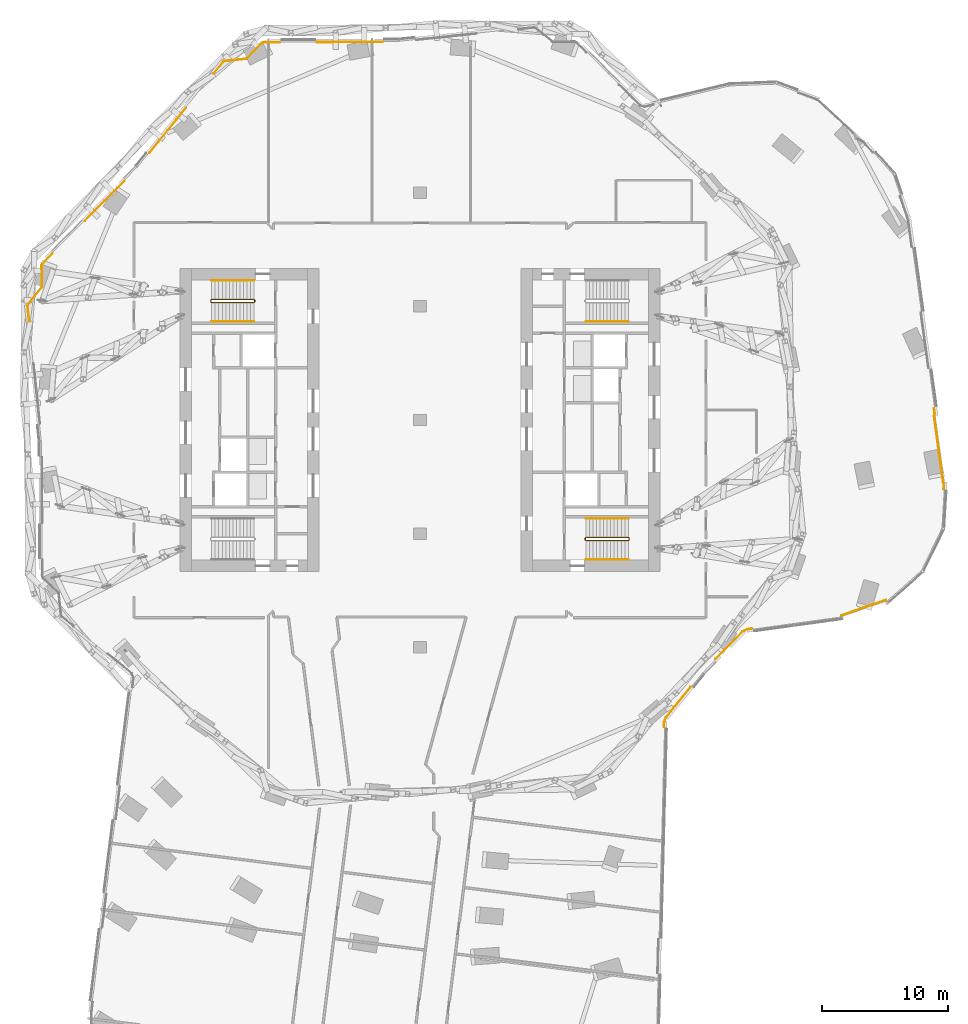
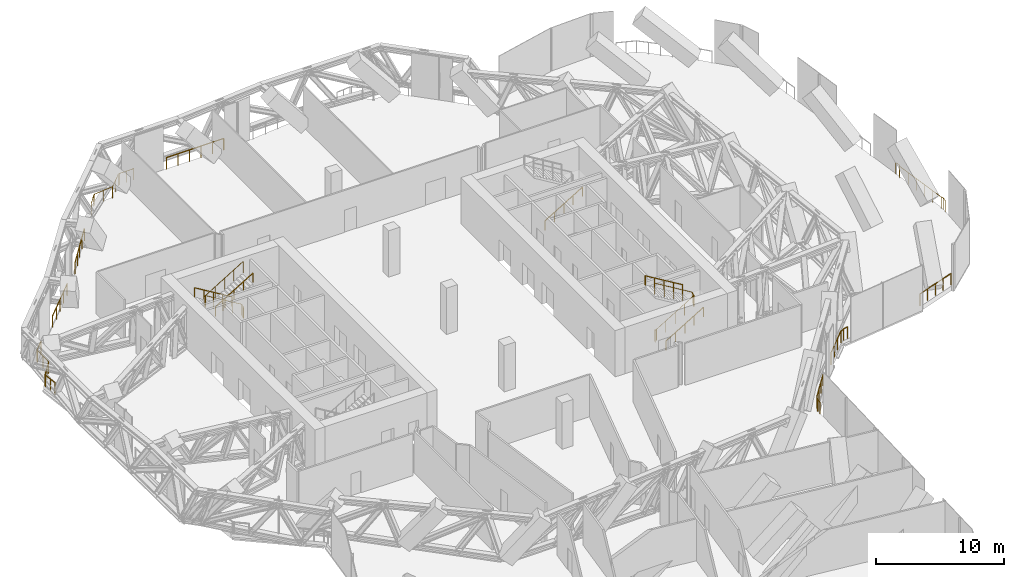
# One storey, part 25 of 27: 16 railings.
"""IFC4 building model written with IfcOpenShell, lengths in metres."""

from ifc_helpers import new_model, si_unit, direction, frame, origin, origin_2d, place, context, subcontext, project, spatial, circle, extrude, material, type_object, element, save


model = new_model("IFC4")

# Units and contexts
model_context = context("Model", 3, precision=1e-05, world=origin(), true_north=direction((0.0, 1.0)))
body_context = subcontext(model_context, "Body", "Model", "MODEL_VIEW")
ifc_project = project(units=[si_unit("LENGTHUNIT", "METRE"), si_unit("AREAUNIT", "SQUARE_METRE"), si_unit("VOLUMEUNIT", "CUBIC_METRE"), si_unit("PLANEANGLEUNIT", "RADIAN"), si_unit("MASSUNIT", "GRAM", prefix="KILO")], contexts=[model_context])

# Site, building, storey
site_placement = place(None, origin())
site = spatial("IfcSite", under=ifc_project, at=site_placement, CompositionType="ELEMENT")
building_placement = place(site_placement, origin())
building = spatial("IfcBuilding", under=site, at=building_placement, Name="Orlundy Tower", CompositionType="ELEMENT")
storey_placement = place(building_placement, frame((0.0, 0.0, 206.10009765625)))
storey = spatial("IfcBuildingStorey", under=building, at=storey_placement, Name="L54", CompositionType="ELEMENT", Elevation=206.10009765625)

# Railings
ifc_material_1 = material(Name="Steel balustrade", Category="steel")
railing_type_1 = type_object("IfcRailingType", Name="Stair Guard 1100", PredefinedType="GUARDRAIL", material=ifc_material_1)
railing_1_placement = place(storey_placement, frame((-13.090087890625, 9.5, 0.0)))
element("IfcRailing", 1, at=railing_1_placement, inside=storey, type_object=railing_type_1, Name="L54 ST-W1 stair guard 1", PredefinedType="GUARDRAIL", context=body_context, shape_type="SweptSolid", body=[
    extrude(circle(Radius=0.02392578125, at=origin_2d()), frame((0.0, 0.0, 1.076171875), z_axis=(0.0, -1.0, 0.0), x_axis=(1.0, 0.0, 0.0)), (0.0, 0.0, 1.0), 0.14990234375),
    extrude(circle(Radius=0.02392578125, at=origin_2d()), frame((0.0, -0.14990234375, 1.076171875), z_axis=(-0.186800498525, 0.749949060256, 0.634572281755), x_axis=(-0.970351222016, -0.241699205484, 0.0)), (0.0, 0.0, 1.0), 0.2666015625),
    extrude(circle(Radius=0.02392578125, at=origin_2d()), frame((-0.0498046875, 0.050048828125, 1.2451171875), z_axis=(-0.855836976705, 0.0, 0.517245656632), x_axis=(0.0, -1.0, 0.0)), (0.0, 0.0, 1.0), 3.926025390625),
    extrude(circle(Radius=0.02392578125, at=origin_2d()), frame((-3.409912109375, 0.050048828125, 3.27587890625), z_axis=(-0.707106781187, -0.707106781187, 0.0), x_axis=(0.707106781187, -0.707106781187, 0.0)), (0.0, 0.0, 1.0), 0.07080078125),
    extrude(circle(Radius=0.02392578125, at=origin_2d()), frame((-3.4599609375, 0.0, 3.27587890625), z_axis=(0.0, -1.0, 0.0), x_axis=(1.0, 0.0, 0.0)), (0.0, 0.0, 1.0), 0.14990234375),
    extrude(circle(Radius=0.02392578125, at=origin_2d()), frame((-3.4599609375, -0.14990234375, 3.27587890625), z_axis=(0.272897288611, -0.272897288611, 0.922525956132), x_axis=(0.707106781187, 0.707106781187, 0.0)), (0.0, 0.0, 1.0), 0.183349609375),
    extrude(circle(Radius=0.02392578125, at=origin_2d()), frame((-3.409912109375, -0.199951171875, 3.4453125), z_axis=(0.855836976705, 0.0, 0.517245656632), x_axis=(0.0, 1.0, 0.0)), (0.0, 0.0, 1.0), 3.926025390625),
    extrude(circle(Radius=0.02099609375, at=origin_2d()), origin(), (0.0, 0.0, 1.0), 1.052001953125),
    extrude(circle(Radius=0.02099609375, at=origin_2d()), frame((0.0, -0.14990234375, 0.0)), (0.0, 0.0, 1.0), 1.052001953125),
    extrude(circle(Radius=0.02099609375, at=origin_2d()), frame((-0.0498046875, 0.050048828125, 0.169189453125)), (0.0, 0.0, 1.0), 1.052001953125),
    extrude(circle(Radius=0.02099609375, at=origin_2d()), frame((-0.889892578125, 0.050048828125, 0.6767578125)), (0.0, 0.0, 1.0), 1.052001953125),
    extrude(circle(Radius=0.02099609375, at=origin_2d()), frame((-1.72998046875, 0.050048828125, 1.1845703125)), (0.0, 0.0, 1.0), 1.052001953125),
    extrude(circle(Radius=0.02099609375, at=origin_2d()), frame((-2.56982421875, 0.050048828125, 1.6923828125)), (0.0, 0.0, 1.0), 1.052001953125),
    extrude(circle(Radius=0.02099609375, at=origin_2d()), frame((-3.409912109375, 0.050048828125, 2.199951171875)), (0.0, 0.0, 1.0), 1.052001953125),
    extrude(circle(Radius=0.02099609375, at=origin_2d()), frame((-3.4599609375, 0.0, 2.199951171875)), (0.0, 0.0, 1.0), 1.052001953125),
    extrude(circle(Radius=0.02099609375, at=origin_2d()), frame((-3.4599609375, -0.14990234375, 2.199951171875)), (0.0, 0.0, 1.0), 1.052001953125),
    extrude(circle(Radius=0.02099609375, at=origin_2d()), frame((-3.409912109375, -0.199951171875, 2.369140625)), (0.0, 0.0, 1.0), 1.052001953125),
    extrude(circle(Radius=0.02099609375, at=origin_2d()), frame((-2.56982421875, -0.199951171875, 2.876953125)), (0.0, 0.0, 1.0), 1.052001953125),
    extrude(circle(Radius=0.02099609375, at=origin_2d()), frame((-1.72998046875, -0.199951171875, 3.384521484375)), (0.0, 0.0, 1.0), 1.052001953125),
    extrude(circle(Radius=0.02099609375, at=origin_2d()), frame((-0.889892578125, -0.199951171875, 3.89208984375)), (0.0, 0.0, 1.0), 1.052001953125),
    extrude(circle(Radius=0.02099609375, at=origin_2d()), frame((-0.0498046875, -0.199951171875, 4.39990234375)), (0.0, 0.0, 1.0), 1.052001953125),
])
railing_2_placement = place(storey_placement, frame((13.090087890625, -9.5, 0.0)))
element("IfcRailing", 2, at=railing_2_placement, inside=storey, type_object=railing_type_1, Name="L54 ST-E1 stair guard 1", PredefinedType="GUARDRAIL", context=body_context, shape_type="SweptSolid", body=[
    extrude(circle(Radius=0.02392578125, at=origin_2d()), frame((0.0, 0.0, 1.076171875), z_axis=(0.0, 1.0, 0.0), x_axis=(-1.0, 0.0, 0.0)), (0.0, 0.0, 1.0), 0.14990234375),
    extrude(circle(Radius=0.02392578125, at=origin_2d()), frame((0.0, 0.14990234375, 1.076171875), z_axis=(0.186800498525, -0.749949060256, 0.634572281755), x_axis=(0.970351222016, 0.241699205484, 0.0)), (0.0, 0.0, 1.0), 0.2666015625),
    extrude(circle(Radius=0.02392578125, at=origin_2d()), frame((0.0498046875, -0.050048828125, 1.2451171875), z_axis=(0.855836976705, 0.0, 0.517245656632), x_axis=(0.0, 1.0, 0.0)), (0.0, 0.0, 1.0), 3.926025390625),
    extrude(circle(Radius=0.02392578125, at=origin_2d()), frame((3.409912109375, -0.050048828125, 3.27587890625), z_axis=(0.707106781187, 0.707106781187, 0.0), x_axis=(-0.707106781187, 0.707106781187, 0.0)), (0.0, 0.0, 1.0), 0.07080078125),
    extrude(circle(Radius=0.02392578125, at=origin_2d()), frame((3.4599609375, 0.0, 3.27587890625), z_axis=(0.0, 1.0, 0.0), x_axis=(-1.0, 0.0, 0.0)), (0.0, 0.0, 1.0), 0.14990234375),
    extrude(circle(Radius=0.02392578125, at=origin_2d()), frame((3.4599609375, 0.14990234375, 3.27587890625), z_axis=(-0.272897288611, 0.272897288611, 0.922525956132), x_axis=(-0.707106781187, -0.707106781187, 0.0)), (0.0, 0.0, 1.0), 0.183349609375),
    extrude(circle(Radius=0.02392578125, at=origin_2d()), frame((3.409912109375, 0.199951171875, 3.4453125), z_axis=(-0.855836976705, 0.0, 0.517245656632), x_axis=(0.0, -1.0, 0.0)), (0.0, 0.0, 1.0), 3.926025390625),
    extrude(circle(Radius=0.02099609375, at=origin_2d()), origin(), (0.0, 0.0, 1.0), 1.052001953125),
    extrude(circle(Radius=0.02099609375, at=origin_2d()), frame((0.0, 0.14990234375, 0.0)), (0.0, 0.0, 1.0), 1.052001953125),
    extrude(circle(Radius=0.02099609375, at=origin_2d()), frame((0.0498046875, -0.050048828125, 0.169189453125)), (0.0, 0.0, 1.0), 1.052001953125),
    extrude(circle(Radius=0.02099609375, at=origin_2d()), frame((0.889892578125, -0.050048828125, 0.6767578125)), (0.0, 0.0, 1.0), 1.052001953125),
    extrude(circle(Radius=0.02099609375, at=origin_2d()), frame((1.72998046875, -0.050048828125, 1.1845703125)), (0.0, 0.0, 1.0), 1.052001953125),
    extrude(circle(Radius=0.02099609375, at=origin_2d()), frame((2.56982421875, -0.050048828125, 1.6923828125)), (0.0, 0.0, 1.0), 1.052001953125),
    extrude(circle(Radius=0.02099609375, at=origin_2d()), frame((3.409912109375, -0.050048828125, 2.199951171875)), (0.0, 0.0, 1.0), 1.052001953125),
    extrude(circle(Radius=0.02099609375, at=origin_2d()), frame((3.4599609375, 0.0, 2.199951171875)), (0.0, 0.0, 1.0), 1.052001953125),
    extrude(circle(Radius=0.02099609375, at=origin_2d()), frame((3.4599609375, 0.14990234375, 2.199951171875)), (0.0, 0.0, 1.0), 1.052001953125),
    extrude(circle(Radius=0.02099609375, at=origin_2d()), frame((3.409912109375, 0.199951171875, 2.369140625)), (0.0, 0.0, 1.0), 1.052001953125),
    extrude(circle(Radius=0.02099609375, at=origin_2d()), frame((2.56982421875, 0.199951171875, 2.876953125)), (0.0, 0.0, 1.0), 1.052001953125),
    extrude(circle(Radius=0.02099609375, at=origin_2d()), frame((1.72998046875, 0.199951171875, 3.384521484375)), (0.0, 0.0, 1.0), 1.052001953125),
    extrude(circle(Radius=0.02099609375, at=origin_2d()), frame((0.889892578125, 0.199951171875, 3.89208984375)), (0.0, 0.0, 1.0), 1.052001953125),
    extrude(circle(Radius=0.02099609375, at=origin_2d()), frame((0.0498046875, 0.199951171875, 4.39990234375)), (0.0, 0.0, 1.0), 1.052001953125),
])
ifc_material_2 = material(Name="Steel handrail", Category="steel")
railing_type_2 = type_object("IfcRailingType", Name="Stair Handrail 900", PredefinedType="HANDRAIL", material=ifc_material_2)
railing_3_placement = place(storey_placement, frame((-13.139892578125, 11.050048828125, 0.169189453125)))
element("IfcRailing", 3, at=railing_3_placement, inside=storey, type_object=railing_type_2, Name="L54 ST-W1 stair handrail 1", PredefinedType="HANDRAIL", context=body_context, shape_type="SweptSolid", body=[
    extrude(circle(Radius=0.02392578125, at=origin_2d()), frame((0.0, 0.0, 0.8759765625), z_axis=(-0.855836976705, 0.0, 0.517245656632), x_axis=(0.0, -1.0, 0.0)), (0.0, 0.0, 1.0), 3.926025390625),
    extrude(circle(Radius=0.02099609375, at=origin_2d()), origin(), (0.0, 0.0, 1.0), 0.851806640625),
    extrude(circle(Radius=0.02099609375, at=origin_2d()), frame((-0.840087890625, 0.0, 0.5078125)), (0.0, 0.0, 1.0), 0.851806640625),
    extrude(circle(Radius=0.02099609375, at=origin_2d()), frame((-1.68017578125, 0.0, 1.015380859375)), (0.0, 0.0, 1.0), 0.851806640625),
    extrude(circle(Radius=0.02099609375, at=origin_2d()), frame((-2.52001953125, 0.0, 1.52294921875)), (0.0, 0.0, 1.0), 0.851806640625),
    extrude(circle(Radius=0.02099609375, at=origin_2d()), frame((-3.360107421875, 0.0, 2.03076171875)), (0.0, 0.0, 1.0), 0.851806640625),
])
for number, where, name in (
    (4, (-16.5, 7.800048828125, 2.369140625), "L54 ST-W1 stair handrail 2"),
    (5, (13.139892578125, -11.050048828125, 0.169189453125), "L54 ST-E1 stair handrail 1"),
):
    element("IfcRailing", number, at=place(storey_placement, frame(where)), inside=storey, type_object=railing_type_2, Name=name, PredefinedType="HANDRAIL", context=body_context, shape_type="SweptSolid", body=[
        extrude(circle(Radius=0.02392578125, at=origin_2d()), frame((0.0, 0.0, 0.8759765625), z_axis=(0.855836976705, 0.0, 0.517245656632), x_axis=(0.0, 1.0, 0.0)), (0.0, 0.0, 1.0), 3.926025390625),
        extrude(circle(Radius=0.02099609375, at=origin_2d()), origin(), (0.0, 0.0, 1.0), 0.851806640625),
        extrude(circle(Radius=0.02099609375, at=origin_2d()), frame((0.840087890625, 0.0, 0.5078125)), (0.0, 0.0, 1.0), 0.851806640625),
        extrude(circle(Radius=0.02099609375, at=origin_2d()), frame((1.68017578125, 0.0, 1.015380859375)), (0.0, 0.0, 1.0), 0.851806640625),
        extrude(circle(Radius=0.02099609375, at=origin_2d()), frame((2.52001953125, 0.0, 1.52294921875)), (0.0, 0.0, 1.0), 0.851806640625),
        extrude(circle(Radius=0.02099609375, at=origin_2d()), frame((3.360107421875, 0.0, 2.03076171875)), (0.0, 0.0, 1.0), 0.851806640625),
    ])
railing_4_placement = place(storey_placement, frame((16.5, -7.800048828125, 2.369140625)))
element("IfcRailing", 6, at=railing_4_placement, inside=storey, type_object=railing_type_2, Name="L54 ST-E1 stair handrail 2", PredefinedType="HANDRAIL", context=body_context, shape_type="SweptSolid", body=[
    extrude(circle(Radius=0.02392578125, at=origin_2d()), frame((0.0, 0.0, 0.8759765625), z_axis=(-0.855836976705, 0.0, 0.517245656632), x_axis=(0.0, -1.0, 0.0)), (0.0, 0.0, 1.0), 3.926025390625),
    extrude(circle(Radius=0.02099609375, at=origin_2d()), origin(), (0.0, 0.0, 1.0), 0.851806640625),
    extrude(circle(Radius=0.02099609375, at=origin_2d()), frame((-0.840087890625, 0.0, 0.5078125)), (0.0, 0.0, 1.0), 0.851806640625),
    extrude(circle(Radius=0.02099609375, at=origin_2d()), frame((-1.68017578125, 0.0, 1.015380859375)), (0.0, 0.0, 1.0), 0.851806640625),
    extrude(circle(Radius=0.02099609375, at=origin_2d()), frame((-2.52001953125, 0.0, 1.52294921875)), (0.0, 0.0, 1.0), 0.851806640625),
    extrude(circle(Radius=0.02099609375, at=origin_2d()), frame((-3.360107421875, 0.0, 2.03076171875)), (0.0, 0.0, 1.0), 0.851806640625),
])
railing_5_placement = place(storey_placement, frame((13.139892578125, 7.800048828125, 0.169189453125)))
element("IfcRailing", 7, at=railing_5_placement, inside=storey, type_object=railing_type_2, Name="L54 ST-E2 stair handrail 1", PredefinedType="HANDRAIL", context=body_context, shape_type="SweptSolid", body=[
    extrude(circle(Radius=0.02392578125, at=origin_2d()), frame((0.0, 0.0, 0.8759765625), z_axis=(0.855836976705, 0.0, 0.517245656632), x_axis=(0.0, 1.0, 0.0)), (0.0, 0.0, 1.0), 3.926025390625),
    extrude(circle(Radius=0.02099609375, at=origin_2d()), origin(), (0.0, 0.0, 1.0), 0.851806640625),
    extrude(circle(Radius=0.02099609375, at=origin_2d()), frame((0.840087890625, 0.0, 0.5078125)), (0.0, 0.0, 1.0), 0.851806640625),
    extrude(circle(Radius=0.02099609375, at=origin_2d()), frame((1.68017578125, 0.0, 1.015380859375)), (0.0, 0.0, 1.0), 0.851806640625),
    extrude(circle(Radius=0.02099609375, at=origin_2d()), frame((2.52001953125, 0.0, 1.52294921875)), (0.0, 0.0, 1.0), 0.851806640625),
    extrude(circle(Radius=0.02099609375, at=origin_2d()), frame((3.360107421875, 0.0, 2.03076171875)), (0.0, 0.0, 1.0), 0.851806640625),
])
ifc_material_3 = material(Name="Stainless steel bronze finish", Category="steel")
railing_type_3 = type_object("IfcRailingType", Name="TG1 terrace guard", PredefinedType="GUARDRAIL", material=ifc_material_3)
railing_6_placement = place(storey_placement, frame((40.7138671875, 0.923583984375, 0.0)))
element("IfcRailing", 8, at=railing_6_placement, inside=storey, type_object=railing_type_3, Name="Guard TG-L54-E01", PredefinedType="GUARDRAIL", context=body_context, shape_type="SweptSolid", body=[
    extrude(circle(Radius=0.02490234375, at=origin_2d()), frame((0.0, 0.0, 1.09521484375), z_axis=(0.136239953371, -0.990675867832, 0.0), x_axis=(0.990675867832, 0.136239953371, 0.0)), (0.0, 0.0, 1.0), 0.415771484375),
    extrude(circle(Radius=0.02490234375, at=origin_2d()), frame((0.056640625, -0.411865234375, 1.09521484375), z_axis=(-0.241203150282, -0.970474646909, 0.0), x_axis=(0.970474646909, -0.241203150282, 0.0)), (0.0, 0.0, 1.0), 0.215576171875),
    extrude(circle(Radius=0.02490234375, at=origin_2d()), frame((0.004638671875, -0.62109375, 1.09521484375), z_axis=(0.136302204881, -0.990667304873, 0.0), x_axis=(0.990667304873, 0.136302204881, 0.0)), (0.0, 0.0, 1.0), 5.25),
    extrude(circle(Radius=0.02490234375, at=origin_2d()), frame((0.72021484375, -5.822021484375, 1.09521484375), z_axis=(0.347932385942, -0.937519629028, 0.0), x_axis=(0.937519629028, 0.347932385942, 0.0)), (0.0, 0.0, 1.0), 0.19287109375),
    extrude(circle(Radius=0.02490234375, at=origin_2d()), frame((0.787353515625, -6.0029296875, 1.09521484375), z_axis=(-0.059433802283, -0.998232249101, 0.0), x_axis=(0.998232249101, -0.059433802283, 0.0)), (0.0, 0.0, 1.0), 0.382080078125),
    extrude(circle(Radius=0.02001953125, at=origin_2d()), origin(), (0.0, 0.0, 1.0), 1.070068359375),
    extrude(circle(Radius=0.02001953125, at=origin_2d()), frame((0.056640625, -0.411865234375, 0.0)), (0.0, 0.0, 1.0), 1.070068359375),
    extrude(circle(Radius=0.02001953125, at=origin_2d()), frame((0.004638671875, -0.62109375, 0.0)), (0.0, 0.0, 1.0), 1.070068359375),
    extrude(circle(Radius=0.02001953125, at=origin_2d()), frame((0.147705078125, -1.661376953125, 0.0)), (0.0, 0.0, 1.0), 1.070068359375),
    extrude(circle(Radius=0.02001953125, at=origin_2d()), frame((0.290771484375, -2.701416015625, 0.0)), (0.0, 0.0, 1.0), 1.070068359375),
    extrude(circle(Radius=0.02001953125, at=origin_2d()), frame((0.43408203125, -3.74169921875, 0.0)), (0.0, 0.0, 1.0), 1.070068359375),
    extrude(circle(Radius=0.02001953125, at=origin_2d()), frame((0.5771484375, -4.78173828125, 0.0)), (0.0, 0.0, 1.0), 1.070068359375),
    extrude(circle(Radius=0.02001953125, at=origin_2d()), frame((0.72021484375, -5.822021484375, 0.0)), (0.0, 0.0, 1.0), 1.070068359375),
    extrude(circle(Radius=0.02001953125, at=origin_2d()), frame((0.787353515625, -6.0029296875, 0.0)), (0.0, 0.0, 1.0), 1.070068359375),
    extrude(circle(Radius=0.02001953125, at=origin_2d()), frame((0.7646484375, -6.38427734375, 0.0)), (0.0, 0.0, 1.0), 1.070068359375),
])
railing_7_placement = place(storey_placement, frame((-16.34033203125, 27.42822265625, 0.0)))
element("IfcRailing", 9, at=railing_7_placement, inside=storey, type_object=railing_type_3, Name="Guard TG-L54-E04", PredefinedType="GUARDRAIL", context=body_context, shape_type="SweptSolid", body=[
    extrude(circle(Radius=0.02490234375, at=origin_2d()), frame((0.0, 0.0, 1.09521484375), z_axis=(0.629221751316, 0.777225827974, 0.0), x_axis=(-0.777225827974, 0.629221751316, 0.0)), (0.0, 0.0, 1.0), 1.1943359375),
    extrude(circle(Radius=0.02490234375, at=origin_2d()), frame((0.75146484375, 0.92822265625, 1.09521484375), z_axis=(0.868607358513, 0.495501015879, 0.0), x_axis=(-0.495501015879, 0.868607358513, 0.0)), (0.0, 0.0, 1.0), 0.123779296875),
    extrude(circle(Radius=0.02490234375, at=origin_2d()), frame((0.85888671875, 0.989501953125, 1.09521484375), z_axis=(0.994531327551, 0.104438683057, 0.0), x_axis=(-0.104438683057, 0.994531327551, 0.0)), (0.0, 0.0, 1.0), 1.7041015625),
    extrude(circle(Radius=0.02490234375, at=origin_2d()), frame((2.5537109375, 1.16748046875, 1.09521484375), z_axis=(0.902134221636, 0.431455497304, 0.0), x_axis=(-0.431455497304, 0.902134221636, 0.0)), (0.0, 0.0, 1.0), 0.080810546875),
    extrude(circle(Radius=0.02490234375, at=origin_2d()), frame((2.626708984375, 1.202392578125, 1.09521484375), z_axis=(0.703011878712, 0.711178105956, 0.0), x_axis=(-0.711178105956, 0.703011878712, 0.0)), (0.0, 0.0, 1.0), 1.7041015625),
    extrude(circle(Radius=0.02490234375, at=origin_2d()), frame((3.82470703125, 2.414306640625, 1.09521484375), z_axis=(0.92915682658, 0.369685801214, 0.0), x_axis=(-0.369685801214, 0.92915682658, 0.0)), (0.0, 0.0, 1.0), 0.12353515625),
    extrude(circle(Radius=0.02490234375, at=origin_2d()), frame((3.939453125, 2.4599609375, 1.09521484375), z_axis=(0.999982409605, 0.005931313644, 0.0), x_axis=(-0.005931313644, 0.999982409605, 0.0)), (0.0, 0.0, 1.0), 1.317138671875),
    extrude(circle(Radius=0.02001953125, at=origin_2d()), origin(), (0.0, 0.0, 1.0), 1.070068359375),
    extrude(circle(Radius=0.02001953125, at=origin_2d()), frame((0.75146484375, 0.92822265625, 0.0)), (0.0, 0.0, 1.0), 1.070068359375),
    extrude(circle(Radius=0.02001953125, at=origin_2d()), frame((0.85888671875, 0.989501953125, 0.0)), (0.0, 0.0, 1.0), 1.070068359375),
    extrude(circle(Radius=0.02001953125, at=origin_2d()), frame((1.706298828125, 1.07861328125, 0.0)), (0.0, 0.0, 1.0), 1.070068359375),
    extrude(circle(Radius=0.02001953125, at=origin_2d()), frame((2.5537109375, 1.16748046875, 0.0)), (0.0, 0.0, 1.0), 1.070068359375),
    extrude(circle(Radius=0.02001953125, at=origin_2d()), frame((2.626708984375, 1.202392578125, 0.0)), (0.0, 0.0, 1.0), 1.070068359375),
    extrude(circle(Radius=0.02001953125, at=origin_2d()), frame((3.2255859375, 1.808349609375, 0.0)), (0.0, 0.0, 1.0), 1.070068359375),
    extrude(circle(Radius=0.02001953125, at=origin_2d()), frame((3.82470703125, 2.414306640625, 0.0)), (0.0, 0.0, 1.0), 1.070068359375),
    extrude(circle(Radius=0.02001953125, at=origin_2d()), frame((3.939453125, 2.4599609375, 0.0)), (0.0, 0.0, 1.0), 1.070068359375),
    extrude(circle(Radius=0.02001953125, at=origin_2d()), frame((4.59814453125, 2.4638671875, 0.0)), (0.0, 0.0, 1.0), 1.070068359375),
    extrude(circle(Radius=0.02001953125, at=origin_2d()), frame((5.256591796875, 2.4677734375, 0.0)), (0.0, 0.0, 1.0), 1.070068359375),
])
railing_8_placement = place(storey_placement, frame((-30.94482421875, 7.794921875, 0.0)))
element("IfcRailing", 10, at=railing_8_placement, inside=storey, type_object=railing_type_3, Name="Guard TG-L54-E05", PredefinedType="GUARDRAIL", context=body_context, shape_type="SweptSolid", body=[
    extrude(circle(Radius=0.02490234375, at=origin_2d()), frame((0.0, 0.0, 1.09521484375), z_axis=(-0.104418135323, 0.994533485115, 0.0), x_axis=(-0.994533485115, -0.104418135323, 0.0)), (0.0, 0.0, 1.0), 1.2392578125),
    extrude(circle(Radius=0.02490234375, at=origin_2d()), frame((-0.12939453125, 1.232421875, 1.09521484375), z_axis=(0.262950111424, 0.964809431391, 0.0), x_axis=(-0.964809431391, 0.262950111424, 0.0)), (0.0, 0.0, 1.0), 0.12353515625),
    extrude(circle(Radius=0.02490234375, at=origin_2d()), frame((-0.096923828125, 1.3515625, 1.09521484375), z_axis=(0.629346513369, 0.777124807293, 0.0), x_axis=(-0.777124807293, 0.629346513369, 0.0)), (0.0, 0.0, 1.0), 1.704833984375),
    extrude(circle(Radius=0.02490234375, at=origin_2d()), frame((0.97607421875, 2.676513671875, 1.09521484375), z_axis=(0.332503871563, 0.943101890251, 0.0), x_axis=(-0.943101890251, 0.332503871563, 0.0)), (0.0, 0.0, 1.0), 0.080810546875),
    extrude(circle(Radius=0.02490234375, at=origin_2d()), frame((1.0029296875, 2.752685546875, 1.09521484375), z_axis=(-0.005870460126, 0.9999827687, 0.0), x_axis=(-0.9999827687, -0.005870460126, 0.0)), (0.0, 0.0, 1.0), 1.705078125),
    extrude(circle(Radius=0.02490234375, at=origin_2d()), frame((0.992919921875, 4.457763671875, 1.09521484375), z_axis=(0.395111112843, 0.918633337359, 0.0), x_axis=(-0.918633337359, 0.395111112843, 0.0)), (0.0, 0.0, 1.0), 0.12353515625),
    extrude(circle(Radius=0.02490234375, at=origin_2d()), frame((1.041748046875, 4.5712890625, 1.09521484375), z_axis=(0.703083356565, 0.711107441757, 0.0), x_axis=(-0.711107441757, 0.703083356565, 0.0)), (0.0, 0.0, 1.0), 1.125732421875),
    extrude(circle(Radius=0.02001953125, at=origin_2d()), origin(), (0.0, 0.0, 1.0), 1.070068359375),
    extrude(circle(Radius=0.02001953125, at=origin_2d()), frame((-0.064697265625, 0.6162109375, 0.0)), (0.0, 0.0, 1.0), 1.070068359375),
    extrude(circle(Radius=0.02001953125, at=origin_2d()), frame((-0.12939453125, 1.232421875, 0.0)), (0.0, 0.0, 1.0), 1.070068359375),
    extrude(circle(Radius=0.02001953125, at=origin_2d()), frame((-0.096923828125, 1.3515625, 0.0)), (0.0, 0.0, 1.0), 1.070068359375),
    extrude(circle(Radius=0.02001953125, at=origin_2d()), frame((0.439453125, 2.01416015625, 0.0)), (0.0, 0.0, 1.0), 1.070068359375),
    extrude(circle(Radius=0.02001953125, at=origin_2d()), frame((0.97607421875, 2.676513671875, 0.0)), (0.0, 0.0, 1.0), 1.070068359375),
    extrude(circle(Radius=0.02001953125, at=origin_2d()), frame((1.0029296875, 2.752685546875, 0.0)), (0.0, 0.0, 1.0), 1.070068359375),
    extrude(circle(Radius=0.02001953125, at=origin_2d()), frame((0.998046875, 3.605224609375, 0.0)), (0.0, 0.0, 1.0), 1.070068359375),
    extrude(circle(Radius=0.02001953125, at=origin_2d()), frame((0.992919921875, 4.457763671875, 0.0)), (0.0, 0.0, 1.0), 1.070068359375),
    extrude(circle(Radius=0.02001953125, at=origin_2d()), frame((1.041748046875, 4.5712890625, 0.0)), (0.0, 0.0, 1.0), 1.070068359375),
    extrude(circle(Radius=0.02001953125, at=origin_2d()), frame((1.833251953125, 5.371826171875, 0.0)), (0.0, 0.0, 1.0), 1.070068359375),
])
railing_9_placement = place(storey_placement, frame((-8.139404296875, 29.9130859375, 0.0)))
element("IfcRailing", 11, at=railing_9_placement, inside=storey, type_object=railing_type_3, Name="Guard TG-L54-E012", PredefinedType="GUARDRAIL", context=body_context, shape_type="SweptSolid", body=[
    extrude(circle(Radius=0.02490234375, at=origin_2d()), frame((0.0, 0.0, 1.09521484375), z_axis=(0.999982800729, 0.005865001764, 0.0), x_axis=(-0.005865001764, 0.999982800729, 0.0)), (0.0, 0.0, 1.0), 5.16162109375),
    extrude(circle(Radius=0.02001953125, at=origin_2d()), origin(), (0.0, 0.0, 1.0), 1.070068359375),
    extrude(circle(Radius=0.02001953125, at=origin_2d()), frame((1.0322265625, 0.006103515625, 0.0)), (0.0, 0.0, 1.0), 1.070068359375),
    extrude(circle(Radius=0.02001953125, at=origin_2d()), frame((2.064697265625, 0.01220703125, 0.0)), (0.0, 0.0, 1.0), 1.070068359375),
    extrude(circle(Radius=0.02001953125, at=origin_2d()), frame((3.096923828125, 0.01806640625, 0.0)), (0.0, 0.0, 1.0), 1.070068359375),
    extrude(circle(Radius=0.02001953125, at=origin_2d()), frame((4.12939453125, 0.024169921875, 0.0)), (0.0, 0.0, 1.0), 1.070068359375),
    extrude(circle(Radius=0.02001953125, at=origin_2d()), frame((5.16162109375, 0.0302734375, 0.0)), (0.0, 0.0, 1.0), 1.070068359375),
])
railing_10_placement = place(storey_placement, frame((-21.4326171875, 21.14013671875, 0.0)))
element("IfcRailing", 12, at=railing_10_placement, inside=storey, type_object=railing_type_3, Name="Guard TG-L54-E015", PredefinedType="GUARDRAIL", context=body_context, shape_type="SweptSolid", body=[
    extrude(circle(Radius=0.02490234375, at=origin_2d()), frame((0.0, 0.0, 1.09521484375), z_axis=(0.62935429109, 0.777118508521, 0.0), x_axis=(-0.777118508521, 0.62935429109, 0.0)), (0.0, 0.0, 1.0), 4.58984375),
    extrude(circle(Radius=0.02001953125, at=origin_2d()), origin(), (0.0, 0.0, 1.0), 1.070068359375),
    extrude(circle(Radius=0.02001953125, at=origin_2d()), frame((0.72216796875, 0.8916015625, 0.0)), (0.0, 0.0, 1.0), 1.070068359375),
    extrude(circle(Radius=0.02001953125, at=origin_2d()), frame((1.4443359375, 1.783447265625, 0.0)), (0.0, 0.0, 1.0), 1.070068359375),
    extrude(circle(Radius=0.02001953125, at=origin_2d()), frame((2.16650390625, 2.67529296875, 0.0)), (0.0, 0.0, 1.0), 1.070068359375),
    extrude(circle(Radius=0.02001953125, at=origin_2d()), frame((2.888671875, 3.56689453125, 0.0)), (0.0, 0.0, 1.0), 1.070068359375),
])
railing_11_placement = place(storey_placement, frame((-26.54638671875, 15.761962890625, 0.0)))
element("IfcRailing", 13, at=railing_11_placement, inside=storey, type_object=railing_type_3, Name="Guard TG-L54-E016", PredefinedType="GUARDRAIL", context=body_context, shape_type="SweptSolid", body=[
    extrude(circle(Radius=0.02490234375, at=origin_2d()), frame((0.0, 0.0, 1.09521484375), z_axis=(0.703008670876, 0.711181276943, 0.0), x_axis=(-0.711181276943, 0.703008670876, 0.0)), (0.0, 0.0, 1.0), 4.451171875),
    extrude(circle(Radius=0.02001953125, at=origin_2d()), origin(), (0.0, 0.0, 1.0), 1.070068359375),
    extrude(circle(Radius=0.02001953125, at=origin_2d()), frame((0.7822265625, 0.79150390625, 0.0)), (0.0, 0.0, 1.0), 1.070068359375),
    extrude(circle(Radius=0.02001953125, at=origin_2d()), frame((1.564453125, 1.582763671875, 0.0)), (0.0, 0.0, 1.0), 1.070068359375),
    extrude(circle(Radius=0.02001953125, at=origin_2d()), frame((2.346923828125, 2.3740234375, 0.0)), (0.0, 0.0, 1.0), 1.070068359375),
    extrude(circle(Radius=0.02001953125, at=origin_2d()), frame((3.129150390625, 3.16552734375, 0.0)), (0.0, 0.0, 1.0), 1.070068359375),
])
railing_12_placement = place(storey_placement, frame((21.4326171875, -21.138916015625, 0.0)))
element("IfcRailing", 14, at=railing_12_placement, inside=storey, type_object=railing_type_3, Name="Guard TG-L54-E019", PredefinedType="GUARDRAIL", context=body_context, shape_type="SweptSolid", body=[
    extrude(circle(Radius=0.02490234375, at=origin_2d()), frame((0.0, 0.0, 1.09521484375), z_axis=(-0.629356652229, -0.777116596332, 0.0), x_axis=(0.777116596332, -0.629356652229, 0.0)), (0.0, 0.0, 1.0), 3.10302734375),
    extrude(circle(Radius=0.02490234375, at=origin_2d()), frame((-1.952880859375, -2.411376953125, 1.09521484375), z_axis=(-0.345761285208, -0.938322510468, 0.0), x_axis=(0.938322510468, -0.345761285208, 0.0)), (0.0, 0.0, 1.0), 0.404541015625),
    extrude(circle(Radius=0.02490234375, at=origin_2d()), frame((-2.0927734375, -2.791015625, 1.09521484375), z_axis=(-0.026489124458, -0.999649101578, 0.0), x_axis=(0.999649101578, -0.026489124458, 0.0)), (0.0, 0.0, 1.0), 0.38720703125),
    extrude(circle(Radius=0.02001953125, at=origin_2d()), origin(), (0.0, 0.0, 1.0), 1.070068359375),
    extrude(circle(Radius=0.02001953125, at=origin_2d()), frame((-0.65087890625, -0.8037109375, 0.0)), (0.0, 0.0, 1.0), 1.070068359375),
    extrude(circle(Radius=0.02001953125, at=origin_2d()), frame((-1.302001953125, -1.607666015625, 0.0)), (0.0, 0.0, 1.0), 1.070068359375),
    extrude(circle(Radius=0.02001953125, at=origin_2d()), frame((-1.952880859375, -2.411376953125, 0.0)), (0.0, 0.0, 1.0), 1.070068359375),
    extrude(circle(Radius=0.02001953125, at=origin_2d()), frame((-2.0927734375, -2.791015625, 0.0)), (0.0, 0.0, 1.0), 1.070068359375),
    extrude(circle(Radius=0.02001953125, at=origin_2d()), frame((-2.10302734375, -3.177978515625, 0.0)), (0.0, 0.0, 1.0), 1.070068359375),
])
railing_13_placement = place(storey_placement, frame((26.28271484375, -16.531982421875, 0.0)))
element("IfcRailing", 15, at=railing_13_placement, inside=storey, type_object=railing_type_3, Name="Guard TG-L54-E020", PredefinedType="GUARDRAIL", context=body_context, shape_type="SweptSolid", body=[
    extrude(circle(Radius=0.02490234375, at=origin_2d()), frame((0.0, 0.0, 1.09521484375), z_axis=(-0.990729076547, -0.135852482068, 0.0), x_axis=(0.135852482068, -0.990729076547, 0.0)), (0.0, 0.0, 1.0), 0.368408203125),
    extrude(circle(Radius=0.02490234375, at=origin_2d()), frame((-0.364990234375, -0.050048828125, 1.09521484375), z_axis=(-0.894185715082, -0.447696221721, 0.0), x_axis=(0.447696221721, -0.894185715082, 0.0)), (0.0, 0.0, 1.0), 0.404541015625),
    extrude(circle(Radius=0.02490234375, at=origin_2d()), frame((-0.726806640625, -0.231201171875, 1.09521484375), z_axis=(-0.703003516756, -0.711186371796, 0.0), x_axis=(0.711186371796, -0.703003516756, 0.0)), (0.0, 0.0, 1.0), 3.043212890625),
    extrude(circle(Radius=0.02001953125, at=origin_2d()), origin(), (0.0, 0.0, 1.0), 1.070068359375),
    extrude(circle(Radius=0.02001953125, at=origin_2d()), frame((-0.364990234375, -0.050048828125, 0.0)), (0.0, 0.0, 1.0), 1.070068359375),
    extrude(circle(Radius=0.02001953125, at=origin_2d()), frame((-0.726806640625, -0.231201171875, 0.0)), (0.0, 0.0, 1.0), 1.070068359375),
    extrude(circle(Radius=0.02001953125, at=origin_2d()), frame((-1.43994140625, -0.95263671875, 0.0)), (0.0, 0.0, 1.0), 1.070068359375),
    extrude(circle(Radius=0.02001953125, at=origin_2d()), frame((-2.153076171875, -1.674072265625, 0.0)), (0.0, 0.0, 1.0), 1.070068359375),
    extrude(circle(Radius=0.02001953125, at=origin_2d()), frame((-2.8662109375, -2.3955078125, 0.0)), (0.0, 0.0, 1.0), 1.070068359375),
])
railing_14_placement = place(storey_placement, frame((36.90087890625, -14.2626953125, 0.0)))
element("IfcRailing", 16, at=railing_14_placement, inside=storey, type_object=railing_type_3, Name="Guard TG-L54-E021", PredefinedType="GUARDRAIL", context=body_context, shape_type="SweptSolid", body=[
    extrude(circle(Radius=0.02490234375, at=origin_2d()), frame((0.0, 0.0, 1.09521484375), z_axis=(-0.945046350656, -0.326936377773, 0.0), x_axis=(0.326936377773, -0.945046350656, 0.0)), (0.0, 0.0, 1.0), 3.706787109375),
    extrude(circle(Radius=0.02001953125, at=origin_2d()), origin(), (0.0, 0.0, 1.0), 1.070068359375),
    extrude(circle(Radius=0.02001953125, at=origin_2d()), frame((-0.875732421875, -0.302978515625, 0.0)), (0.0, 0.0, 1.0), 1.070068359375),
    extrude(circle(Radius=0.02001953125, at=origin_2d()), frame((-1.75146484375, -0.60595703125, 0.0)), (0.0, 0.0, 1.0), 1.070068359375),
    extrude(circle(Radius=0.02001953125, at=origin_2d()), frame((-2.62744140625, -0.908935546875, 0.0)), (0.0, 0.0, 1.0), 1.070068359375),
    extrude(circle(Radius=0.02001953125, at=origin_2d()), frame((-3.503173828125, -1.2119140625, 0.0)), (0.0, 0.0, 1.0), 1.070068359375),
])

save(model, "model.ifc")
